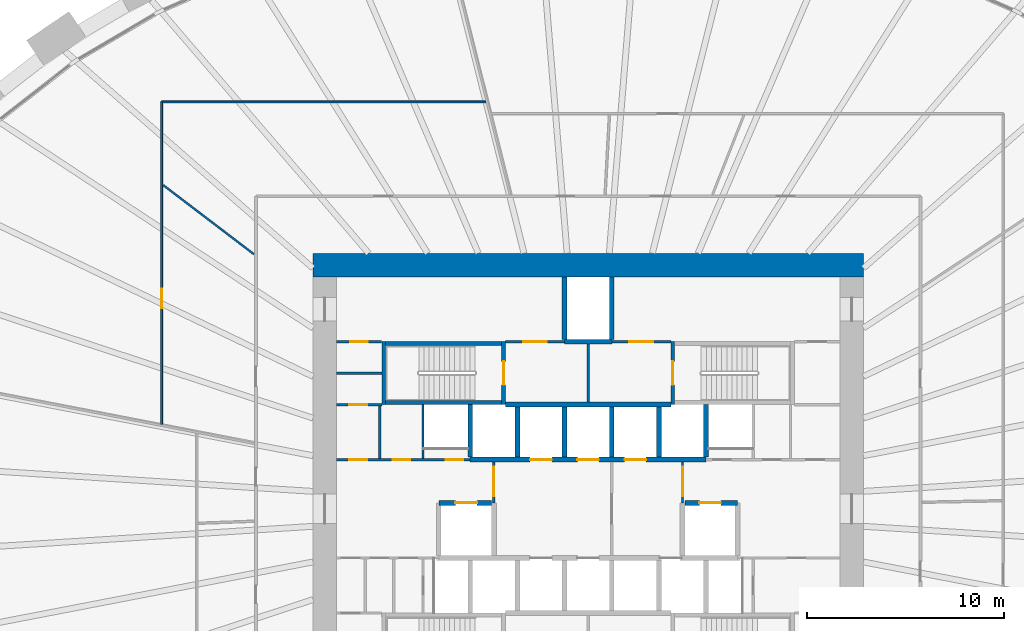
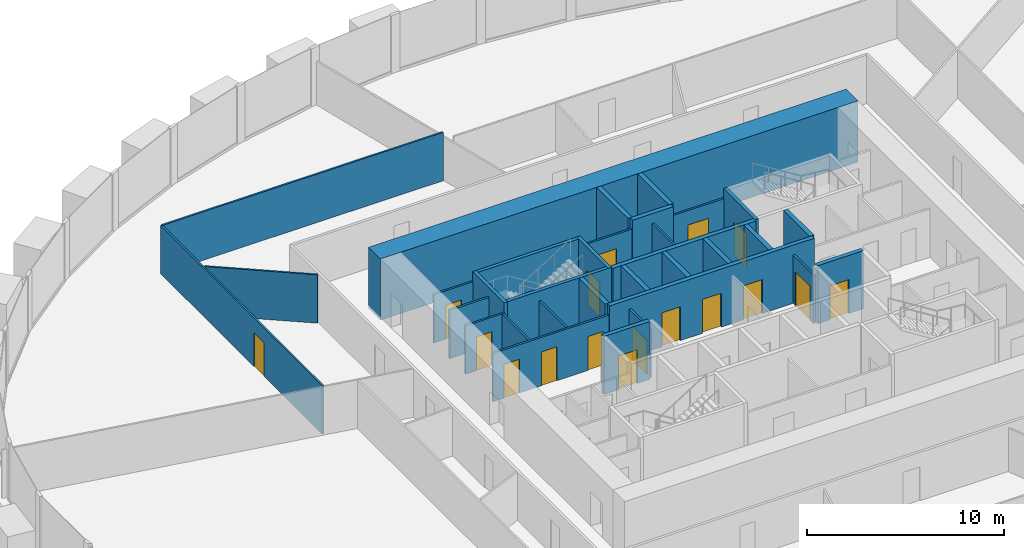
# One storey, part 8 of 10: 33 walls, 17 doors, 17 openings.
"""IFC4 building model written with IfcOpenShell, lengths in metres."""

from ifc_helpers import new_model, si_unit, direction, frame, frame_2d, origin, place, context, subcontext, project, spatial, rectangle, extrude, source, transform, mapped, material, layer, layer_set, type_object, element, fill, save


model = new_model("IFC4")

# Units and contexts
model_context = context("Model", 3, precision=1e-05, world=origin(), true_north=direction((0.0, 1.0)))
body_context = subcontext(model_context, "Body", "Model", "MODEL_VIEW")
ifc_project = project(units=[si_unit("LENGTHUNIT", "METRE"), si_unit("AREAUNIT", "SQUARE_METRE"), si_unit("VOLUMEUNIT", "CUBIC_METRE"), si_unit("PLANEANGLEUNIT", "RADIAN"), si_unit("MASSUNIT", "GRAM", prefix="KILO")], contexts=[model_context])

# Site, building, storey
site_placement = place(None, origin())
site = spatial("IfcSite", under=ifc_project, at=site_placement, CompositionType="ELEMENT")
building_placement = place(site_placement, origin())
building = spatial("IfcBuilding", under=site, at=building_placement, Name="Embergate Tower", CompositionType="ELEMENT")
storey_placement = place(building_placement, frame((0.0, 0.0, 97.10009765625)))
storey = spatial("IfcBuildingStorey", under=building, at=storey_placement, Name="L20", CompositionType="ELEMENT", Elevation=97.10009765625)

# Wall
ifc_material_1 = material(Name="Concrete C80", Category="concrete")
ifc_layer_1 = layer(ifc_material_1, 1.199951171875)
ifc_layer_set_1 = layer_set([ifc_layer_1], Name="Concrete C80")
wall_type_1 = type_object("IfcWallType", Name="Core outer wall C80 1200", PredefinedType="SHEAR", material=ifc_layer_set_1)
shared_shape_1 = source(origin(), body_context, "Body", "SweptSolid", [
    extrude(rectangle(XDim=28.0, YDim=1.199951171875, at=frame_2d((14.0, 0.0))), origin(), (0.0, 0.0, 1.0), 3.800048828125),
])
wall_1_placement = place(storey_placement, frame((-14.0, 12.39990234375, -0.2001953125), z_axis=(0.0, 0.0, 1.0), x_axis=(1.0, 0.0, 0.0)))
element("IfcWall", 1, at=wall_1_placement, inside=storey, type_object=wall_type_1, Name="CW-L20-N", PredefinedType="SHEAR", context=body_context, shape_type="MappedRepresentation", body=[
    mapped(shared_shape_1, transform((0.0, 0.0, 0.0))),
])

# Wall, openings, doors
ifc_material_2 = material(Name="Core partition blockwork 120")
ifc_layer_2 = layer(ifc_material_2, 0.1201171875)
ifc_layer_set_2 = layer_set([ifc_layer_2], Name="Core partition blockwork 120")
wall_type_2 = type_object("IfcWallType", Name="Core partition blockwork 120", PredefinedType="PARTITIONING", material=ifc_layer_set_2)
shared_shape_2 = source(origin(), body_context, "Body", "SweptSolid", [
    extrude(rectangle(XDim=6.800048828125, YDim=0.1201171875, at=frame_2d((3.39990234375, 0.0))), origin(), (0.0, 0.0, 1.0), 3.0),
])
wall_2_placement = place(storey_placement, frame((-12.800048828125, 2.5, 0.0), z_axis=(0.0, 0.0, 1.0), x_axis=(1.0, 0.0, 0.0)))
wall_2 = element("IfcWall", 2, at=wall_2_placement, inside=storey, type_object=wall_type_2, Name="IP-3 wall", PredefinedType="PARTITIONING", context=body_context, shape_type="MappedRepresentation", body=[
    mapped(shared_shape_2, transform((0.0, 0.0, 0.0))),
])
shared_shape_3 = source(origin(), body_context, "Body", "SweptSolid", [
    extrude(rectangle(XDim=0.89990234375, YDim=2.10009765625, at=frame_2d((0.449951171875, 1.050048828125))), frame((0.0, 0.070068359375, 0.0), z_axis=(0.0, -1.0, 0.0), x_axis=(1.0, 0.0, 0.0)), (0.0, 0.0, 1.0), 0.14013671875),
])
opening_1_placement = place(wall_2_placement, frame((5.550048828125, 0.0, 0.0)))
opening_1 = element("IfcOpeningElement", 3, at=opening_1_placement, cuts=wall_2, Name="Opening ID-1", PredefinedType="OPENING", context=body_context, shape_type="MappedRepresentation", body=[
    mapped(shared_shape_3, transform((0.0, 0.0, 0.0))),
])
opening_2_placement = place(wall_2_placement, frame((0.64990234375, 0.0, 0.0)))
opening_2 = element("IfcOpeningElement", 4, at=opening_2_placement, cuts=wall_2, Name="Opening ID-1", PredefinedType="OPENING", context=body_context, shape_type="MappedRepresentation", body=[
    mapped(shared_shape_3, transform((0.0, 0.0, 0.0))),
])
opening_3_placement = place(wall_2_placement, frame((2.85009765625, 0.0, 0.0)))
opening_3 = element("IfcOpeningElement", 5, at=opening_3_placement, cuts=wall_2, Name="Opening ID-1", PredefinedType="OPENING", context=body_context, shape_type="MappedRepresentation", body=[
    mapped(shared_shape_3, transform((0.0, 0.0, 0.0))),
])
ifc_material_3 = material(Name="Interior door 900")
door_type_1 = type_object("IfcDoorType", Name="Interior door 900", OperationType="SINGLE_SWING_LEFT", PredefinedType="DOOR", material=ifc_material_3)
shared_shape_4 = source(origin(), body_context, "Body", "SweptSolid", [
    extrude(rectangle(XDim=0.89990234375, YDim=2.10009765625, at=frame_2d((0.449951171875, 1.050048828125))), frame((0.0, 0.02490234375, 0.0), z_axis=(0.0, -1.0, 0.0), x_axis=(1.0, 0.0, 0.0)), (0.0, 0.0, 1.0), 0.050048828125),
])
door_1_placement = place(opening_1_placement, origin())
door_1 = element("IfcDoor", 6, at=door_1_placement, inside=storey, type_object=door_type_1, Name="ID-1 door", OperationType="SINGLE_SWING_RIGHT", OverallHeight=2.10009765625, OverallWidth=0.89990234375, PredefinedType="DOOR", context=body_context, shape_type="MappedRepresentation", body=[
    mapped(shared_shape_4, transform((0.0, 0.0, 0.0))),
])
fill(opening_1, door_1)
door_2_placement = place(opening_2_placement, origin())
door_2 = element("IfcDoor", 7, at=door_2_placement, inside=storey, type_object=door_type_1, Name="ID-1 door", OperationType="SINGLE_SWING_LEFT", OverallHeight=2.10009765625, OverallWidth=0.89990234375, PredefinedType="DOOR", context=body_context, shape_type="MappedRepresentation", body=[
    mapped(shared_shape_4, transform((0.0, 0.0, 0.0))),
])
fill(opening_2, door_2)
door_3_placement = place(opening_3_placement, origin())
door_3 = element("IfcDoor", 8, at=door_3_placement, inside=storey, type_object=door_type_1, Name="ID-1 door", OperationType="SINGLE_SWING_LEFT", OverallHeight=2.10009765625, OverallWidth=0.89990234375, PredefinedType="DOOR", context=body_context, shape_type="MappedRepresentation", body=[
    mapped(shared_shape_4, transform((0.0, 0.0, 0.0))),
])
fill(opening_3, door_3)

# Wall
shared_shape_5 = source(origin(), body_context, "Body", "SweptSolid", [
    extrude(rectangle(XDim=2.739990234375, YDim=0.1201171875, at=frame_2d((1.3701171875, 0.0))), origin(), (0.0, 0.0, 1.0), 3.0),
])
wall_3_placement = place(storey_placement, frame((-8.39990234375, 5.300048828125, 0.0), z_axis=(0.0, 0.0, 1.0), x_axis=(0.0, -1.0, 0.0)))
element("IfcWall", 9, at=wall_3_placement, inside=storey, type_object=wall_type_2, Name="IP-3 wall", PredefinedType="PARTITIONING", context=body_context, shape_type="MappedRepresentation", body=[
    mapped(shared_shape_5, transform((0.0, 0.0, 0.0))),
])

# Wall, opening, door
shared_shape_6 = source(origin(), body_context, "Body", "SweptSolid", [
    extrude(rectangle(XDim=2.074951171875, YDim=0.1201171875, at=frame_2d((1.03759765625, 0.0))), origin(), (0.0, 0.0, 1.0), 3.0),
])
wall_4_placement = place(storey_placement, frame((-4.800048828125, 2.375, 0.0), z_axis=(0.0, 0.0, 1.0), x_axis=(0.0, -1.0, 0.0)))
wall_4 = element("IfcWall", 10, at=wall_4_placement, inside=storey, type_object=wall_type_2, Name="IP-3 wall", PredefinedType="PARTITIONING", context=body_context, shape_type="MappedRepresentation", body=[
    mapped(shared_shape_6, transform((0.0, 0.0, 0.0))),
])
shared_shape_7 = source(origin(), body_context, "Body", "SweptSolid", [
    extrude(rectangle(XDim=1.5, YDim=2.10009765625, at=frame_2d((0.75, 1.050048828125))), frame((0.0, 0.070068359375, 0.0), z_axis=(0.0, -1.0, 0.0), x_axis=(1.0, 0.0, 0.0)), (0.0, 0.0, 1.0), 0.14013671875),
])
opening_4_placement = place(wall_4_placement, frame((0.22509765625, 0.0, 0.0)))
opening_4 = element("IfcOpeningElement", 11, at=opening_4_placement, cuts=wall_4, Name="Opening IF-3", PredefinedType="OPENING", context=body_context, shape_type="MappedRepresentation", body=[
    mapped(shared_shape_7, transform((0.0, 0.0, 0.0))),
])
ifc_material_4 = material(Name="Lobby fire door pair 1500")
door_type_2 = type_object("IfcDoorType", Name="Lobby fire door pair 1500", OperationType="DOUBLE_DOOR_SINGLE_SWING", PredefinedType="DOOR", material=ifc_material_4)
shared_shape_8 = source(origin(), body_context, "Body", "SweptSolid", [
    extrude(rectangle(XDim=1.5, YDim=2.10009765625, at=frame_2d((0.75, 1.050048828125))), frame((0.0, 0.02490234375, 0.0), z_axis=(0.0, -1.0, 0.0), x_axis=(1.0, 0.0, 0.0)), (0.0, 0.0, 1.0), 0.050048828125),
])
door_4_placement = place(opening_4_placement, origin())
door_4 = element("IfcDoor", 12, at=door_4_placement, inside=storey, type_object=door_type_2, Name="IF-3 door", OperationType="DOUBLE_DOOR_SINGLE_SWING", OverallHeight=2.10009765625, OverallWidth=1.5, PredefinedType="DOOR", context=body_context, shape_type="MappedRepresentation", body=[
    mapped(shared_shape_8, transform((0.0, 0.0, 0.0))),
])
fill(opening_4, door_4)

wall_5_placement = place(storey_placement, frame((4.800048828125, 0.300048828125, 0.0), z_axis=(0.0, 0.0, 1.0), x_axis=(0.0, 1.0, 0.0)))
wall_5 = element("IfcWall", 13, at=wall_5_placement, inside=storey, type_object=wall_type_2, Name="IP-3 wall", PredefinedType="PARTITIONING", context=body_context, shape_type="MappedRepresentation", body=[
    mapped(shared_shape_6, transform((0.0, 0.0, 0.0))),
])
opening_5_placement = place(wall_5_placement, frame((0.35009765625, 0.0, 0.0)))
opening_5 = element("IfcOpeningElement", 14, at=opening_5_placement, cuts=wall_5, Name="Opening IF-3", PredefinedType="OPENING", context=body_context, shape_type="MappedRepresentation", body=[
    mapped(shared_shape_7, transform((0.0, 0.0, 0.0))),
])
door_5_placement = place(opening_5_placement, origin())
door_5 = element("IfcDoor", 15, at=door_5_placement, inside=storey, type_object=door_type_2, Name="IF-3 door", OperationType="DOUBLE_DOOR_SINGLE_SWING", OverallHeight=2.10009765625, OverallWidth=1.5, PredefinedType="DOOR", context=body_context, shape_type="MappedRepresentation", body=[
    mapped(shared_shape_8, transform((0.0, 0.0, 0.0))),
])
fill(opening_5, door_5)

# Wall
shared_shape_9 = source(origin(), body_context, "Body", "SweptSolid", [
    extrude(rectangle(XDim=2.949951171875, YDim=0.1201171875, at=frame_2d((1.47509765625, 0.0))), origin(), (0.0, 0.0, 1.0), 3.0),
])
wall_6_placement = place(storey_placement, frame((0.0, 5.425048828125, 0.0), z_axis=(0.0, 0.0, 1.0), x_axis=(0.0, 1.0, 0.0)))
element("IfcWall", 16, at=wall_6_placement, inside=storey, type_object=wall_type_2, Name="IP-3 wall", PredefinedType="PARTITIONING", context=body_context, shape_type="MappedRepresentation", body=[
    mapped(shared_shape_9, transform((0.0, 0.0, 0.0))),
])

# Wall, opening, door
shared_shape_10 = source(origin(), body_context, "Body", "SweptSolid", [
    extrude(rectangle(XDim=3.0, YDim=0.1201171875, at=frame_2d((1.5, 0.0))), origin(), (0.0, 0.0, 1.0), 3.0),
])
wall_7_placement = place(storey_placement, frame((-1.199951171875, 8.5, 0.0), z_axis=(0.0, 0.0, 1.0), x_axis=(-1.0, 0.0, 0.0)))
wall_7 = element("IfcWall", 17, at=wall_7_placement, inside=storey, type_object=wall_type_2, Name="IP-3 wall", PredefinedType="PARTITIONING", context=body_context, shape_type="MappedRepresentation", body=[
    mapped(shared_shape_10, transform((0.0, 0.0, 0.0))),
])
shared_shape_11 = source(origin(), body_context, "Body", "SweptSolid", [
    extrude(rectangle(XDim=1.199951171875, YDim=2.10009765625, at=frame_2d((0.60009765625, 1.050048828125))), frame((0.0, 0.070068359375, 0.0), z_axis=(0.0, -1.0, 0.0), x_axis=(1.0, 0.0, 0.0)), (0.0, 0.0, 1.0), 0.14013671875),
])
opening_6_placement = place(wall_7_placement, frame((0.89990234375, 0.0, 0.0)))
opening_6 = element("IfcOpeningElement", 18, at=opening_6_placement, cuts=wall_7, Name="Opening IF-3f", PredefinedType="OPENING", context=body_context, shape_type="MappedRepresentation", body=[
    mapped(shared_shape_11, transform((0.0, 0.0, 0.0))),
])
ifc_material_5 = material(Name="Lobby fire door pair 1200")
door_type_3 = type_object("IfcDoorType", Name="Lobby fire door pair 1200", OperationType="DOUBLE_DOOR_SINGLE_SWING", PredefinedType="DOOR", material=ifc_material_5)
shared_shape_12 = source(origin(), body_context, "Body", "SweptSolid", [
    extrude(rectangle(XDim=1.199951171875, YDim=2.10009765625, at=frame_2d((0.60009765625, 1.050048828125))), frame((0.0, 0.02490234375, 0.0), z_axis=(0.0, -1.0, 0.0), x_axis=(1.0, 0.0, 0.0)), (0.0, 0.0, 1.0), 0.050048828125),
])
door_6_placement = place(opening_6_placement, origin())
door_6 = element("IfcDoor", 19, at=door_6_placement, inside=storey, type_object=door_type_3, Name="IF-3 door", OperationType="DOUBLE_DOOR_SINGLE_SWING", OverallHeight=2.10009765625, OverallWidth=1.199951171875, PredefinedType="DOOR", context=body_context, shape_type="MappedRepresentation", body=[
    mapped(shared_shape_12, transform((0.0, 0.0, 0.0))),
])
fill(opening_6, door_6)

wall_8_placement = place(storey_placement, frame((4.199951171875, 8.5, 0.0), z_axis=(0.0, 0.0, 1.0), x_axis=(-1.0, 0.0, 0.0)))
wall_8 = element("IfcWall", 20, at=wall_8_placement, inside=storey, type_object=wall_type_2, Name="IP-3 wall", PredefinedType="PARTITIONING", context=body_context, shape_type="MappedRepresentation", body=[
    mapped(shared_shape_10, transform((0.0, 0.0, 0.0))),
])
opening_7_placement = place(wall_8_placement, frame((0.89990234375, 0.0, 0.0)))
opening_7 = element("IfcOpeningElement", 21, at=opening_7_placement, cuts=wall_8, Name="Opening IF-3f", PredefinedType="OPENING", context=body_context, shape_type="MappedRepresentation", body=[
    mapped(shared_shape_11, transform((0.0, 0.0, 0.0))),
])
door_7_placement = place(opening_7_placement, origin())
door_7 = element("IfcDoor", 22, at=door_7_placement, inside=storey, type_object=door_type_3, Name="IF-3 door", OperationType="DOUBLE_DOOR_SINGLE_SWING", OverallHeight=2.10009765625, OverallWidth=1.199951171875, PredefinedType="DOOR", context=body_context, shape_type="MappedRepresentation", body=[
    mapped(shared_shape_12, transform((0.0, 0.0, 0.0))),
])
fill(opening_7, door_7)

shared_shape_13 = source(origin(), body_context, "Body", "SweptSolid", [
    extrude(rectangle(XDim=2.300048828125, YDim=0.1201171875, at=frame_2d((1.14990234375, 0.0))), origin(), (0.0, 0.0, 1.0), 3.0),
])
wall_9_placement = place(storey_placement, frame((-12.800048828125, 8.5, 0.0), z_axis=(0.0, 0.0, 1.0), x_axis=(1.0, 0.0, 0.0)))
wall_9 = element("IfcWall", 23, at=wall_9_placement, inside=storey, type_object=wall_type_2, Name="IP-3 wall", PredefinedType="PARTITIONING", context=body_context, shape_type="MappedRepresentation", body=[
    mapped(shared_shape_13, transform((0.0, 0.0, 0.0))),
])
opening_8_placement = place(wall_9_placement, frame((0.699951171875, 0.0, 0.0)))
opening_8 = element("IfcOpeningElement", 24, at=opening_8_placement, cuts=wall_9, Name="Opening ID-1", PredefinedType="OPENING", context=body_context, shape_type="MappedRepresentation", body=[
    mapped(shared_shape_3, transform((0.0, 0.0, 0.0))),
])
door_8_placement = place(opening_8_placement, origin())
door_8 = element("IfcDoor", 25, at=door_8_placement, inside=storey, type_object=door_type_1, Name="ID-1 door", OperationType="SINGLE_SWING_LEFT", OverallHeight=2.10009765625, OverallWidth=0.89990234375, PredefinedType="DOOR", context=body_context, shape_type="MappedRepresentation", body=[
    mapped(shared_shape_4, transform((0.0, 0.0, 0.0))),
])
fill(opening_8, door_8)

wall_10_placement = place(storey_placement, frame((-10.5, 5.300048828125, 0.0), z_axis=(0.0, 0.0, 1.0), x_axis=(-1.0, 0.0, 0.0)))
wall_10 = element("IfcWall", 26, at=wall_10_placement, inside=storey, type_object=wall_type_2, Name="IP-3 wall", PredefinedType="PARTITIONING", context=body_context, shape_type="MappedRepresentation", body=[
    mapped(shared_shape_13, transform((0.0, 0.0, 0.0))),
])
opening_9_placement = place(wall_10_placement, frame((0.75, 0.0, 0.0)))
opening_9 = element("IfcOpeningElement", 27, at=opening_9_placement, cuts=wall_10, Name="Opening ID-1", PredefinedType="OPENING", context=body_context, shape_type="MappedRepresentation", body=[
    mapped(shared_shape_3, transform((0.0, 0.0, 0.0))),
])
door_9_placement = place(opening_9_placement, origin())
door_9 = element("IfcDoor", 28, at=door_9_placement, inside=storey, type_object=door_type_1, Name="ID-1 door", OperationType="SINGLE_SWING_LEFT", OverallHeight=2.10009765625, OverallWidth=0.89990234375, PredefinedType="DOOR", context=body_context, shape_type="MappedRepresentation", body=[
    mapped(shared_shape_4, transform((0.0, 0.0, 0.0))),
])
fill(opening_9, door_9)

# Walls
wall_11_placement = place(storey_placement, frame((-10.5, 6.89990234375, 0.0), z_axis=(0.0, 0.0, 1.0), x_axis=(-1.0, 0.0, 0.0)))
element("IfcWall", 29, at=wall_11_placement, inside=storey, type_object=wall_type_2, Name="IP-3 wall", PredefinedType="PARTITIONING", context=body_context, shape_type="MappedRepresentation", body=[
    mapped(shared_shape_13, transform((0.0, 0.0, 0.0))),
])
shared_shape_14 = source(origin(), body_context, "Body", "SweptSolid", [
    extrude(rectangle(XDim=2.679931640625, YDim=0.1201171875, at=frame_2d((1.33984375, 0.0))), origin(), (0.0, 0.0, 1.0), 3.0),
])
wall_12_placement = place(storey_placement, frame((-10.60009765625, 2.56005859375, 0.0), z_axis=(0.0, 0.0, 1.0), x_axis=(0.0, 1.0, 0.0)))
element("IfcWall", 30, at=wall_12_placement, inside=storey, type_object=wall_type_2, Name="IP-3 wall", PredefinedType="PARTITIONING", context=body_context, shape_type="MappedRepresentation", body=[
    mapped(shared_shape_14, transform((0.0, 0.0, 0.0))),
])
ifc_material_6 = material(Name="Partition dry-lined 100")
ifc_layer_3 = layer(ifc_material_6, 0.10009765625)
ifc_layer_set_3 = layer_set([ifc_layer_3], Name="Partition dry-lined 100")
wall_type_3 = type_object("IfcWallType", Name="Partition dry-lined 100", PredefinedType="PARTITIONING", material=ifc_layer_set_3)
shared_shape_15 = source(origin(), body_context, "Body", "SweptSolid", [
    extrude(rectangle(XDim=5.80126953125, YDim=0.10009765625, at=frame_2d((2.900634765625, 0.0))), origin(), (0.0, 0.0, 1.0), 3.0),
])
wall_13_placement = place(storey_placement, frame((-17.0048828125, 12.955078125, 0.0), z_axis=(0.0, 0.0, 1.0), x_axis=(-0.795554393148, 0.605882172987, 0.0)))
element("IfcWall", 31, at=wall_13_placement, inside=storey, type_object=wall_type_3, Name="IP-1 wall", PredefinedType="PARTITIONING", context=body_context, shape_type="MappedRepresentation", body=[
    mapped(shared_shape_15, transform((0.0, 0.0, 0.0))),
])

# Wall, opening, door
shared_shape_16 = source(origin(), body_context, "Body", "SweptSolid", [
    extrude(rectangle(XDim=16.39990234375, YDim=0.10009765625, at=frame_2d((8.199951171875, 0.0))), origin(), (0.0, 0.0, 1.0), 3.0),
])
wall_14_placement = place(storey_placement, frame((-21.699951171875, 4.300048828125, 0.0), z_axis=(0.0, 0.0, 1.0), x_axis=(0.0, 1.0, 0.0)))
wall_14 = element("IfcWall", 32, at=wall_14_placement, inside=storey, type_object=wall_type_3, Name="IP-1 wall", PredefinedType="PARTITIONING", context=body_context, shape_type="MappedRepresentation", body=[
    mapped(shared_shape_16, transform((0.0, 0.0, 0.0))),
])
shared_shape_17 = source(origin(), body_context, "Body", "SweptSolid", [
    extrude(rectangle(XDim=1.0, YDim=2.10009765625, at=frame_2d((0.5, 1.050048828125))), frame((0.0, 0.06005859375, 0.0), z_axis=(0.0, -1.0, 0.0), x_axis=(1.0, 0.0, 0.0)), (0.0, 0.0, 1.0), 0.1201171875),
])
opening_10_placement = place(wall_14_placement, frame((5.90576171875, 0.0, 0.0)))
opening_10 = element("IfcOpeningElement", 33, at=opening_10_placement, cuts=wall_14, Name="Opening ID-2", PredefinedType="OPENING", context=body_context, shape_type="MappedRepresentation", body=[
    mapped(shared_shape_17, transform((0.0, 0.0, 0.0))),
])
ifc_material_7 = material(Name="Interior door 1000")
door_type_4 = type_object("IfcDoorType", Name="Interior door 1000", OperationType="SINGLE_SWING_LEFT", PredefinedType="DOOR", material=ifc_material_7)
shared_shape_18 = source(origin(), body_context, "Body", "SweptSolid", [
    extrude(rectangle(XDim=1.0, YDim=2.10009765625, at=frame_2d((0.5, 1.050048828125))), frame((0.0, 0.02490234375, 0.0), z_axis=(0.0, -1.0, 0.0), x_axis=(1.0, 0.0, 0.0)), (0.0, 0.0, 1.0), 0.050048828125),
])
door_10_placement = place(opening_10_placement, origin())
door_10 = element("IfcDoor", 34, at=door_10_placement, inside=storey, type_object=door_type_4, Name="ID-2 door", OperationType="SINGLE_SWING_LEFT", OverallHeight=2.10009765625, OverallWidth=1.0, PredefinedType="DOOR", context=body_context, shape_type="MappedRepresentation", body=[
    mapped(shared_shape_18, transform((0.0, 0.0, 0.0))),
])
fill(opening_10, door_10)

# Walls
shared_shape_19 = source(origin(), body_context, "Body", "SweptSolid", [
    extrude(rectangle(XDim=16.491943359375, YDim=0.10009765625, at=frame_2d((8.24609375, 0.0))), origin(), (0.0, 0.0, 1.0), 3.0),
])
wall_15_placement = place(storey_placement, frame((-21.699951171875, 20.699951171875, 0.0), z_axis=(0.0, 0.0, 1.0), x_axis=(1.0, 0.0, 0.0)))
element("IfcWall", 35, at=wall_15_placement, inside=storey, type_object=wall_type_3, Name="IP-1 wall", PredefinedType="PARTITIONING", context=body_context, shape_type="MappedRepresentation", body=[
    mapped(shared_shape_19, transform((0.0, 0.0, 0.0))),
])
ifc_material_8 = material(Name="Concrete C50", Category="concrete")
ifc_layer_4 = layer(ifc_material_8, 0.25)
ifc_layer_set_4 = layer_set([ifc_layer_4], Name="Concrete C50")
wall_type_4 = type_object("IfcWallType", Name="Hoistway wall reinforced concrete 250", PredefinedType="SHEAR", material=ifc_layer_set_4)
shared_shape_20 = source(origin(), body_context, "Body", "SweptSolid", [
    extrude(rectangle(XDim=2.675048828125, YDim=0.25, at=frame_2d((1.33740234375, 0.0))), origin(), (0.0, 0.0, 1.0), 3.599853515625),
])
for number, where, z_axis, x_axis, name in (
    (36, (-6.0, 2.625, 0.0), (0.0, 0.0, 1.0), (0.0, 1.0, 0.0), "HW-1 wall"),
    (37, (6.0, 2.625, 0.0), (0.0, 0.0, 1.0), (0.0, 1.0, 0.0), "HW-1 wall"),
):
    element("IfcWall", number, at=place(storey_placement, frame(where, z_axis=z_axis, x_axis=x_axis)), inside=storey, type_object=wall_type_4, Name=name, PredefinedType="SHEAR", context=body_context, shape_type="MappedRepresentation", body=[
        mapped(shared_shape_20, transform((0.0, 0.0, 0.0))),
    ])

# Wall, opening, door
wall_16_placement = place(storey_placement, frame((-4.925048828125, 0.300048828125, 0.0), z_axis=(0.0, 0.0, 1.0), x_axis=(-1.0, 0.0, 0.0)))
wall_16 = element("IfcWall", 38, at=wall_16_placement, inside=storey, type_object=wall_type_4, Name="HW-1 wall", PredefinedType="SHEAR", context=body_context, shape_type="MappedRepresentation", body=[
    mapped(shared_shape_20, transform((0.0, 0.0, 0.0))),
])
shared_shape_21 = source(origin(), body_context, "Body", "SweptSolid", [
    extrude(rectangle(XDim=1.10009765625, YDim=2.10009765625, at=frame_2d((0.550048828125, 1.050048828125))), frame((0.0, 0.135009765625, 0.0), z_axis=(0.0, -1.0, 0.0), x_axis=(1.0, 0.0, 0.0)), (0.0, 0.0, 1.0), 0.27001953125),
])
opening_11_placement = place(wall_16_placement, frame((0.72509765625, 0.0, 0.0)))
opening_11 = element("IfcOpeningElement", 39, at=opening_11_placement, cuts=wall_16, Name="Opening LD", PredefinedType="OPENING", context=body_context, shape_type="MappedRepresentation", body=[
    mapped(shared_shape_21, transform((0.0, 0.0, 0.0))),
])
ifc_material_9 = material(Name="Landing door sliding 1100")
door_type_5 = type_object("IfcDoorType", Name="Landing door sliding 1100", OperationType="SLIDING_TO_LEFT", PredefinedType="DOOR", material=ifc_material_9)
shared_shape_22 = source(origin(), body_context, "Body", "SweptSolid", [
    extrude(rectangle(XDim=1.10009765625, YDim=2.10009765625, at=frame_2d((0.550048828125, 1.050048828125))), frame((0.0, 0.02490234375, 0.0), z_axis=(0.0, -1.0, 0.0), x_axis=(1.0, 0.0, 0.0)), (0.0, 0.0, 1.0), 0.050048828125),
])
door_11_placement = place(opening_11_placement, origin())
door_11 = element("IfcDoor", 40, at=door_11_placement, inside=storey, type_object=door_type_5, Name="LD door", OperationType="SLIDING_TO_LEFT", OverallHeight=2.10009765625, OverallWidth=1.10009765625, PredefinedType="DOOR", context=body_context, shape_type="MappedRepresentation", body=[
    mapped(shared_shape_22, transform((0.0, 0.0, 0.0))),
])
fill(opening_11, door_11)

wall_17_placement = place(storey_placement, frame((7.60009765625, 0.300048828125, 0.0), z_axis=(0.0, 0.0, 1.0), x_axis=(-1.0, 0.0, 0.0)))
wall_17 = element("IfcWall", 41, at=wall_17_placement, inside=storey, type_object=wall_type_4, Name="HW-1 wall", PredefinedType="SHEAR", context=body_context, shape_type="MappedRepresentation", body=[
    mapped(shared_shape_20, transform((0.0, 0.0, 0.0))),
])
opening_12_placement = place(wall_17_placement, frame((0.85009765625, 0.0, 0.0)))
opening_12 = element("IfcOpeningElement", 42, at=opening_12_placement, cuts=wall_17, Name="Opening LD", PredefinedType="OPENING", context=body_context, shape_type="MappedRepresentation", body=[
    mapped(shared_shape_21, transform((0.0, 0.0, 0.0))),
])
door_12_placement = place(opening_12_placement, origin())
door_12 = element("IfcDoor", 43, at=door_12_placement, inside=storey, type_object=door_type_5, Name="LD door", OperationType="SLIDING_TO_LEFT", OverallHeight=2.10009765625, OverallWidth=1.10009765625, PredefinedType="DOOR", context=body_context, shape_type="MappedRepresentation", body=[
    mapped(shared_shape_22, transform((0.0, 0.0, 0.0))),
])
fill(opening_12, door_12)

# Walls
ifc_layer_5 = layer(ifc_material_8, 0.199951171875)
ifc_layer_set_5 = layer_set([ifc_layer_5], Name="Concrete C50")
wall_type_5 = type_object("IfcWallType", Name="Stair enclosure wall reinforced concrete 250", PredefinedType="SHEAR", material=ifc_layer_set_5)
shared_shape_23 = source(origin(), body_context, "Body", "SweptSolid", [
    extrude(rectangle(XDim=6.300048828125, YDim=0.199951171875, at=frame_2d((3.14990234375, 0.0))), origin(), (0.0, 0.0, 1.0), 3.599853515625),
])
for number, where, z_axis, x_axis, name in (
    (44, (-4.199951171875, 5.39990234375, 0.0), (0.0, 0.0, 1.0), (-1.0, 0.0, 0.0), "SE-1 wall"),
    (45, (-4.199951171875, 8.39990234375, 0.0), (0.0, 0.0, 1.0), (-1.0, 0.0, 0.0), "SE-1 wall"),
):
    element("IfcWall", number, at=place(storey_placement, frame(where, z_axis=z_axis, x_axis=x_axis)), inside=storey, type_object=wall_type_5, Name=name, PredefinedType="SHEAR", context=body_context, shape_type="MappedRepresentation", body=[
        mapped(shared_shape_23, transform((0.0, 0.0, 0.0))),
    ])
shared_shape_24 = source(origin(), body_context, "Body", "SweptSolid", [
    extrude(rectangle(XDim=2.550048828125, YDim=0.25, at=frame_2d((1.27490234375, 0.0))), origin(), (0.0, 0.0, 1.0), 3.599853515625),
])
for number, where, z_axis, x_axis, name in (
    (46, (-3.60009765625, 2.625, 0.0), (0.0, 0.0, 1.0), (0.0, 1.0, 0.0), "HW-1 wall"),
    (47, (-1.199951171875, 2.625, 0.0), (0.0, 0.0, 1.0), (0.0, 1.0, 0.0), "HW-1 wall"),
    (48, (1.199951171875, 2.625, 0.0), (0.0, 0.0, 1.0), (0.0, 1.0, 0.0), "HW-1 wall"),
    (49, (3.60009765625, 2.625, 0.0), (0.0, 0.0, 1.0), (0.0, 1.0, 0.0), "HW-1 wall"),
):
    element("IfcWall", number, at=place(storey_placement, frame(where, z_axis=z_axis, x_axis=x_axis)), inside=storey, type_object=wall_type_4, Name=name, PredefinedType="SHEAR", context=body_context, shape_type="MappedRepresentation", body=[
        mapped(shared_shape_24, transform((0.0, 0.0, 0.0))),
    ])

# Wall, openings, doors
shared_shape_25 = source(origin(), body_context, "Body", "SweptSolid", [
    extrude(rectangle(XDim=12.0, YDim=0.25, at=frame_2d((6.0, 0.0))), origin(), (0.0, 0.0, 1.0), 3.599853515625),
])
wall_18_placement = place(storey_placement, frame((-6.0, 2.5, 0.0), z_axis=(0.0, 0.0, 1.0), x_axis=(1.0, 0.0, 0.0)))
wall_18 = element("IfcWall", 50, at=wall_18_placement, inside=storey, type_object=wall_type_4, Name="HW-1 wall", PredefinedType="SHEAR", context=body_context, shape_type="MappedRepresentation", body=[
    mapped(shared_shape_25, transform((0.0, 0.0, 0.0))),
])
opening_13_placement = place(wall_18_placement, frame((3.050048828125, 0.0, 0.0)))
opening_13 = element("IfcOpeningElement", 51, at=opening_13_placement, cuts=wall_18, Name="Opening LD", PredefinedType="OPENING", context=body_context, shape_type="MappedRepresentation", body=[
    mapped(shared_shape_21, transform((0.0, 0.0, 0.0))),
])
opening_14_placement = place(wall_18_placement, frame((5.449951171875, 0.0, 0.0)))
opening_14 = element("IfcOpeningElement", 52, at=opening_14_placement, cuts=wall_18, Name="Opening LD", PredefinedType="OPENING", context=body_context, shape_type="MappedRepresentation", body=[
    mapped(shared_shape_21, transform((0.0, 0.0, 0.0))),
])
opening_15_placement = place(wall_18_placement, frame((7.85009765625, 0.0, 0.0)))
opening_15 = element("IfcOpeningElement", 53, at=opening_15_placement, cuts=wall_18, Name="Opening LD", PredefinedType="OPENING", context=body_context, shape_type="MappedRepresentation", body=[
    mapped(shared_shape_21, transform((0.0, 0.0, 0.0))),
])
door_13_placement = place(opening_13_placement, origin())
door_13 = element("IfcDoor", 54, at=door_13_placement, inside=storey, type_object=door_type_5, Name="LD door", OperationType="SLIDING_TO_LEFT", OverallHeight=2.10009765625, OverallWidth=1.10009765625, PredefinedType="DOOR", context=body_context, shape_type="MappedRepresentation", body=[
    mapped(shared_shape_22, transform((0.0, 0.0, 0.0))),
])
fill(opening_13, door_13)
door_14_placement = place(opening_14_placement, origin())
door_14 = element("IfcDoor", 55, at=door_14_placement, inside=storey, type_object=door_type_5, Name="LD door", OperationType="SLIDING_TO_LEFT", OverallHeight=2.10009765625, OverallWidth=1.10009765625, PredefinedType="DOOR", context=body_context, shape_type="MappedRepresentation", body=[
    mapped(shared_shape_22, transform((0.0, 0.0, 0.0))),
])
fill(opening_14, door_14)
door_15_placement = place(opening_15_placement, origin())
door_15 = element("IfcDoor", 56, at=door_15_placement, inside=storey, type_object=door_type_5, Name="LD door", OperationType="SLIDING_TO_RIGHT", OverallHeight=2.10009765625, OverallWidth=1.10009765625, PredefinedType="DOOR", context=body_context, shape_type="MappedRepresentation", body=[
    mapped(shared_shape_22, transform((0.0, 0.0, 0.0))),
])
fill(opening_15, door_15)

# Wall
shared_shape_26 = source(origin(), body_context, "Body", "SweptSolid", [
    extrude(rectangle(XDim=8.39990234375, YDim=0.25, at=frame_2d((4.199951171875, 0.0))), origin(), (0.0, 0.0, 1.0), 3.599853515625),
])
wall_19_placement = place(storey_placement, frame((4.199951171875, 5.300048828125, 0.0), z_axis=(0.0, 0.0, 1.0), x_axis=(-1.0, 0.0, 0.0)))
element("IfcWall", 57, at=wall_19_placement, inside=storey, type_object=wall_type_4, Name="HW-1 wall", PredefinedType="SHEAR", context=body_context, shape_type="MappedRepresentation", body=[
    mapped(shared_shape_26, transform((0.0, 0.0, 0.0))),
])

# Wall, opening, door
shared_shape_27 = source(origin(), body_context, "Body", "SweptSolid", [
    extrude(rectangle(XDim=3.199951171875, YDim=0.199951171875, at=frame_2d((1.60009765625, 0.0))), origin(), (0.0, 0.0, 1.0), 3.599853515625),
])
wall_20_placement = place(storey_placement, frame((-4.300048828125, 5.300048828125, 0.0), z_axis=(0.0, 0.0, 1.0), x_axis=(0.0, 1.0, 0.0)))
wall_20 = element("IfcWall", 58, at=wall_20_placement, inside=storey, type_object=wall_type_5, Name="SE-1 wall", PredefinedType="SHEAR", context=body_context, shape_type="MappedRepresentation", body=[
    mapped(shared_shape_27, transform((0.0, 0.0, 0.0))),
])
shared_shape_28 = source(origin(), body_context, "Body", "SweptSolid", [
    extrude(rectangle(XDim=1.199951171875, YDim=2.10009765625, at=frame_2d((0.60009765625, 1.050048828125))), frame((0.0, 0.10986328125, 0.0), z_axis=(0.0, -1.0, 0.0), x_axis=(1.0, 0.0, 0.0)), (0.0, 0.0, 1.0), 0.219970703125),
])
opening_16_placement = place(wall_20_placement, frame((1.0, 0.0, 0.0)))
opening_16 = element("IfcOpeningElement", 59, at=opening_16_placement, cuts=wall_20, Name="Opening IF-2", PredefinedType="OPENING", context=body_context, shape_type="MappedRepresentation", body=[
    mapped(shared_shape_28, transform((0.0, 0.0, 0.0))),
])
ifc_material_10 = material(Name="Stair enclosure door 1200")
door_type_6 = type_object("IfcDoorType", Name="Stair enclosure door 1200", OperationType="SINGLE_SWING_LEFT", PredefinedType="DOOR", material=ifc_material_10)
door_16_placement = place(opening_16_placement, origin())
door_16 = element("IfcDoor", 60, at=door_16_placement, inside=storey, type_object=door_type_6, Name="IF-2 door", OperationType="SINGLE_SWING_LEFT", OverallHeight=2.10009765625, OverallWidth=1.199951171875, PredefinedType="DOOR", context=body_context, shape_type="MappedRepresentation", body=[
    mapped(shared_shape_12, transform((0.0, 0.0, 0.0))),
])
fill(opening_16, door_16)

# Wall
wall_21_placement = place(storey_placement, frame((-10.39990234375, 8.5, 0.0), z_axis=(0.0, 0.0, 1.0), x_axis=(0.0, -1.0, 0.0)))
element("IfcWall", 61, at=wall_21_placement, inside=storey, type_object=wall_type_5, Name="SE-1 wall", PredefinedType="SHEAR", context=body_context, shape_type="MappedRepresentation", body=[
    mapped(shared_shape_27, transform((0.0, 0.0, 0.0))),
])

# Wall, opening, door
wall_22_placement = place(storey_placement, frame((4.300048828125, 8.5, 0.0), z_axis=(0.0, 0.0, 1.0), x_axis=(0.0, -1.0, 0.0)))
wall_22 = element("IfcWall", 62, at=wall_22_placement, inside=storey, type_object=wall_type_5, Name="SE-1 wall", PredefinedType="SHEAR", context=body_context, shape_type="MappedRepresentation", body=[
    mapped(shared_shape_27, transform((0.0, 0.0, 0.0))),
])
opening_17_placement = place(wall_22_placement, frame((1.0, 0.0, 0.0)))
opening_17 = element("IfcOpeningElement", 63, at=opening_17_placement, cuts=wall_22, Name="Opening IF-2", PredefinedType="OPENING", context=body_context, shape_type="MappedRepresentation", body=[
    mapped(shared_shape_28, transform((0.0, 0.0, 0.0))),
])
door_17_placement = place(opening_17_placement, origin())
door_17 = element("IfcDoor", 64, at=door_17_placement, inside=storey, type_object=door_type_6, Name="IF-2 door", OperationType="SINGLE_SWING_RIGHT", OverallHeight=2.10009765625, OverallWidth=1.199951171875, PredefinedType="DOOR", context=body_context, shape_type="MappedRepresentation", body=[
    mapped(shared_shape_12, transform((0.0, 0.0, 0.0))),
])
fill(opening_17, door_17)

# Walls
shared_shape_29 = source(origin(), body_context, "Body", "SweptSolid", [
    extrude(rectangle(XDim=2.39990234375, YDim=0.25, at=frame_2d((1.199951171875, 0.0))), origin(), (0.0, 0.0, 1.0), 3.599853515625),
])
wall_23_placement = place(storey_placement, frame((1.199951171875, 8.5, 0.0), z_axis=(0.0, 0.0, 1.0), x_axis=(-1.0, 0.0, 0.0)))
element("IfcWall", 65, at=wall_23_placement, inside=storey, type_object=wall_type_4, Name="HW-1 wall", PredefinedType="SHEAR", context=body_context, shape_type="MappedRepresentation", body=[
    mapped(shared_shape_29, transform((0.0, 0.0, 0.0))),
])
shared_shape_30 = source(origin(), body_context, "Body", "SweptSolid", [
    extrude(rectangle(XDim=3.175048828125, YDim=0.25, at=frame_2d((1.58740234375, 0.0))), origin(), (0.0, 0.0, 1.0), 3.599853515625),
])
for number, where, z_axis, x_axis, name in (
    (66, (-1.199951171875, 8.625, 0.0), (0.0, 0.0, 1.0), (0.0, 1.0, 0.0), "HW-1 wall"),
    (67, (1.199951171875, 11.800048828125, 0.0), (0.0, 0.0, 1.0), (0.0, -1.0, 0.0), "HW-1 wall"),
):
    element("IfcWall", number, at=place(storey_placement, frame(where, z_axis=z_axis, x_axis=x_axis)), inside=storey, type_object=wall_type_4, Name=name, PredefinedType="SHEAR", context=body_context, shape_type="MappedRepresentation", body=[
        mapped(shared_shape_30, transform((0.0, 0.0, 0.0))),
    ])

save(model, "model.ifc")
